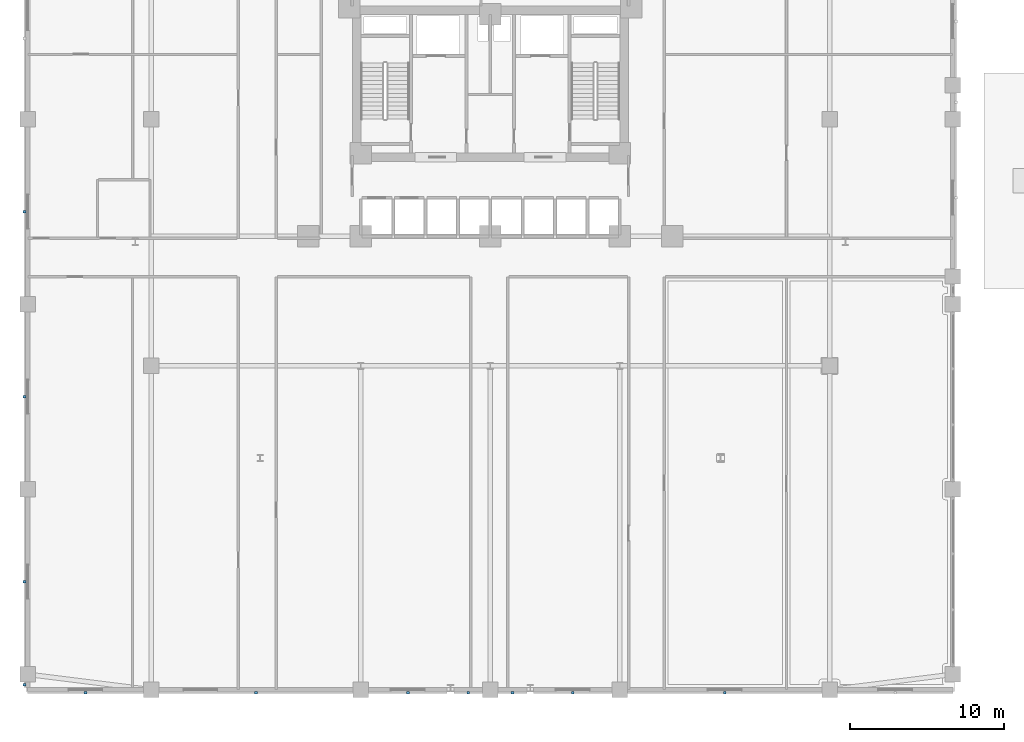
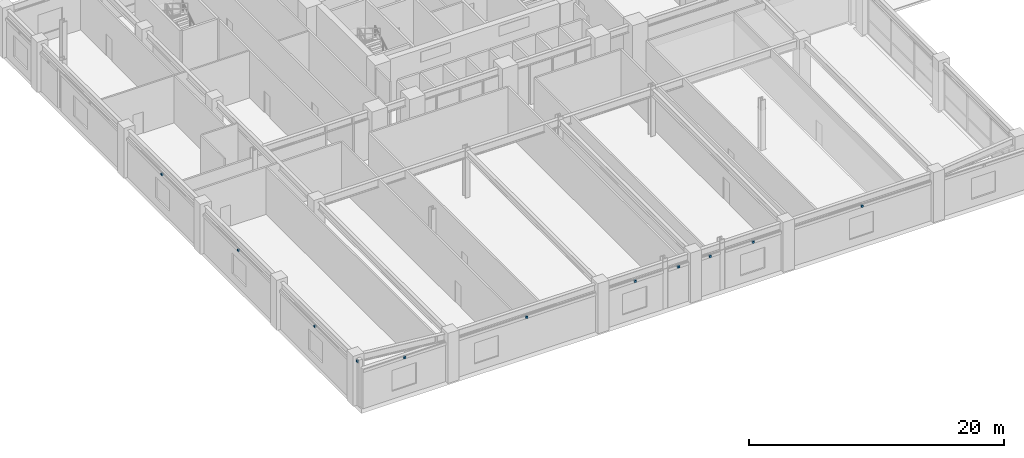
# One storey, part 23 of 34: 11 discrete accessories.
"""IFC4 building model written with IfcOpenShell, lengths in metres."""

from ifc_helpers import new_model, si_unit, derived_unit, direction, frame, origin, origin_2d, place, context, subcontext, project, spatial, rectangle, extrude, source, transform, mapped, material, type_object, element, save


model = new_model("IFC4")

# Units and contexts
model_context = context("Model", 3, precision=1e-05, world=origin(), true_north=direction((0.0, 1.0)))
body_context = subcontext(model_context, "Body", "Model", "MODEL_VIEW")
ifc_project = project(units=[si_unit("LENGTHUNIT", "METRE"), si_unit("AREAUNIT", "SQUARE_METRE"), si_unit("VOLUMEUNIT", "CUBIC_METRE"), si_unit("PLANEANGLEUNIT", "RADIAN"), si_unit("MASSUNIT", "GRAM", prefix="KILO"), derived_unit("THERMALTRANSMITTANCEUNIT", [(si_unit("POWERUNIT", "WATT"), 1), (si_unit("LENGTHUNIT", "METRE"), -2), (si_unit("THERMODYNAMICTEMPERATUREUNIT", "KELVIN"), -1)])], contexts=[model_context])

# Site, building, storey
site_placement = place(None, origin())
site = spatial("IfcSite", under=ifc_project, at=site_placement, CompositionType="ELEMENT")
building_placement = place(site_placement, origin())
building = spatial("IfcBuilding", under=site, at=building_placement, Name="Korsvarv Bourse and Concert Hall", CompositionType="ELEMENT")
storey_placement = place(building_placement, frame((0.0, 0.0, 14.39990234375)))
storey = spatial("IfcBuildingStorey", under=building, at=storey_placement, Name="L03", CompositionType="ELEMENT", Elevation=14.39990234375)

# Discrete accessories
ifc_material = material(Name="Stainless Steel S355 facade outrigger bracket", Category="steel")
discrete_accessory_type = type_object("IfcDiscreteAccessoryType", Name="ACC-BRK-1", PredefinedType="BRACKET", material=ifc_material)
shared_shape = source(origin(), body_context, "Body", "SweptSolid", [
    extrude(rectangle(XDim=0.179931640625, YDim=0.179931640625, at=origin_2d()), origin(), (0.0, 0.0, 1.0), 0.199951171875),
])
for number, where, z_axis, x_axis, name in (
    (1, (9.74755859375, 2.800048828125, 3.56005859375), (0.0, 0.0, 1.0), (1.0, 0.0, 0.0), "L03 terracotta sunshade bracket EW-L03-S1"),
    (2, (20.800048828125, 2.800048828125, 3.56005859375), (0.0, 0.0, 1.0), (1.0, 0.0, 0.0), "L03 terracotta sunshade bracket EW-L03-S2"),
    (3, (30.653076171875, 2.800048828125, 3.56005859375), (0.0, 0.0, 1.0), (1.0, 0.0, 0.0), "L03 terracotta sunshade bracket EW-L03-S3-1"),
    (4, (34.56494140625, 2.800048828125, 3.56005859375), (0.0, 0.0, 1.0), (1.0, 0.0, 0.0), "L03 terracotta sunshade bracket EW-L03-S3-2"),
    (5, (37.43505859375, 2.800048828125, 3.56005859375), (0.0, 0.0, 1.0), (1.0, 0.0, 0.0), "L03 terracotta sunshade bracket EW-L03-S4-1"),
    (6, (41.346923828125, 2.800048828125, 3.56005859375), (0.0, 0.0, 1.0), (1.0, 0.0, 0.0), "L03 terracotta sunshade bracket EW-L03-S4-2"),
    (7, (51.199951171875, 2.800048828125, 3.56005859375), (0.0, 0.0, 1.0), (1.0, 0.0, 0.0), "L03 terracotta sunshade bracket EW-L03-S5"),
    (8, (5.800048828125, 3.327392578125, 4.26025390625), (0.0, 0.0, 1.0), (0.0, 1.0, 0.0), "L03 terracotta sunshade bracket EW-L03-W1-1"),
    (9, (5.800048828125, 10.0, 3.56005859375), (0.0, 0.0, 1.0), (0.0, 1.0, 0.0), "L03 terracotta sunshade bracket EW-L03-W1-2"),
    (10, (5.800048828125, 22.0, 3.56005859375), (0.0, 0.0, 1.0), (0.0, 1.0, 0.0), "L03 terracotta sunshade bracket EW-L03-W2"),
    (11, (5.800048828125, 34.0, 3.56005859375), (0.0, 0.0, 1.0), (0.0, 1.0, 0.0), "L03 terracotta sunshade bracket EW-L03-W3"),
):
    element("IfcDiscreteAccessory", number, at=place(storey_placement, frame(where, z_axis=z_axis, x_axis=x_axis)), inside=storey, type_object=discrete_accessory_type, Name=name, PredefinedType="BRACKET", context=body_context, shape_type="MappedRepresentation", body=[
        mapped(shared_shape, transform((0.0, 0.0, 0.0), scale=1.0)),
    ])

save(model, "model.ifc")
